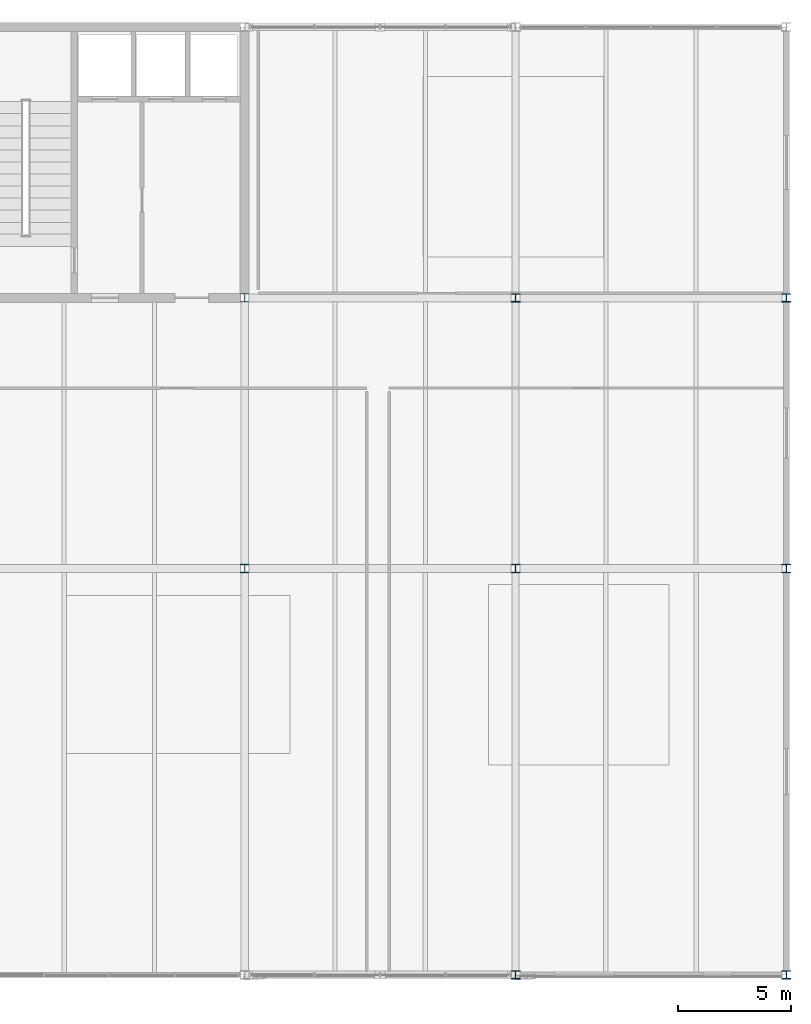
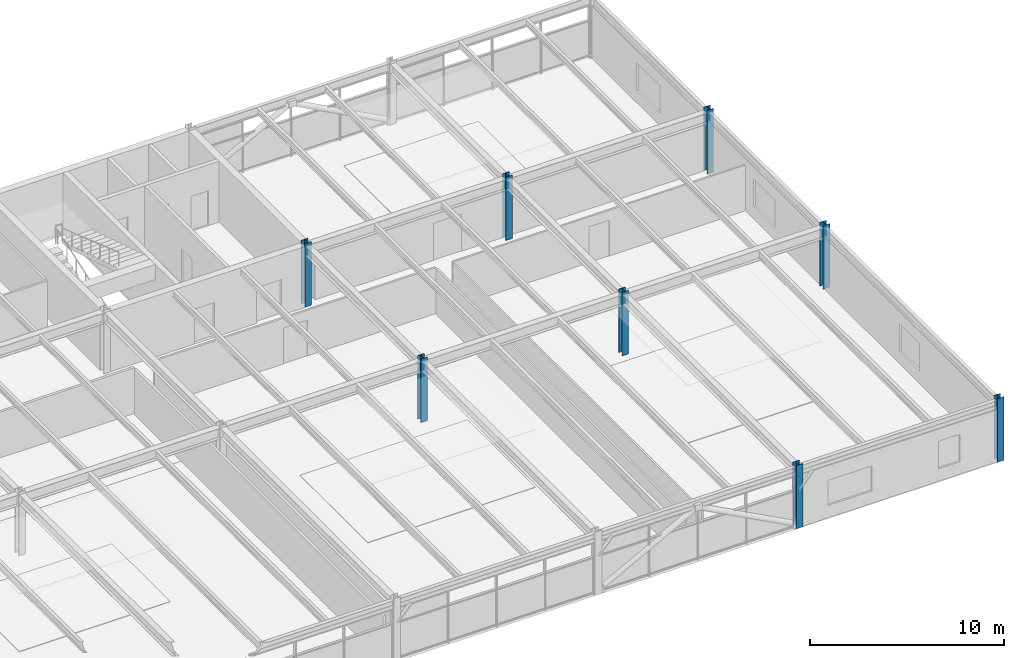
# One storey, part 5 of 49: 8 columns.
"""IFC4 building model written with IfcOpenShell, lengths in metres."""

from ifc_helpers import new_model, si_unit, direction, frame, origin, origin_2d, place, context, subcontext, project, spatial, i_section, extrude, material, material_profile, profile_set, type_object, element, save


model = new_model("IFC4")

# Units and contexts
model_context = context("Model", 3, precision=1e-05, world=origin(), true_north=direction((0.0, 1.0)))
body_context = subcontext(model_context, "Body", "Model", "MODEL_VIEW")
ifc_project = project(units=[si_unit("LENGTHUNIT", "METRE"), si_unit("AREAUNIT", "SQUARE_METRE"), si_unit("VOLUMEUNIT", "CUBIC_METRE"), si_unit("PLANEANGLEUNIT", "RADIAN"), si_unit("MASSUNIT", "GRAM", prefix="KILO")], contexts=[model_context])

# Site, building, storey
site_placement = place(None, origin())
site = spatial("IfcSite", under=ifc_project, at=site_placement, CompositionType="ELEMENT")
building_placement = place(site_placement, origin())
building = spatial("IfcBuilding", under=site, at=building_placement, Name="Girod Span Mobility Hub", CompositionType="ELEMENT")
storey_placement = place(building_placement, frame((0.0, 0.0, 37.60009765625)))
storey = spatial("IfcBuildingStorey", under=building, at=storey_placement, Name="L09", CompositionType="ELEMENT", Elevation=37.60009765625)

# Columns
ifc_material_1 = material(Name="Steel A992 Grade 50", Category="steel")
ifc_material_profile_1 = material_profile(ifc_material_1, i_section(OverallWidth=0.39404296875, OverallDepth=0.375, WebThickness=0.017333984375, FlangeThickness=0.027587890625, FilletRadius=0.01806640625, at=origin_2d()), Name="W14X145")
ifc_profile_set_1 = profile_set([ifc_material_profile_1], Name="Steel A992 Grade 50")
column_type_1 = type_object("IfcColumnType", Name="COL-STL-W14X145", PredefinedType="COLUMN", material=ifc_profile_set_1)
for number, where, z_axis, x_axis, name in (
    (1, (132.0, 27.0, 0.0), (0.0, 0.0, 1.0), (1.0, 0.0, 0.0), "Column 12C L09"),
    (2, (132.0, 45.0, 0.0), (0.0, 0.0, 1.0), (1.0, 0.0, 0.0), "Column 12D L09"),
    (3, (132.0, 57.0, 0.0), (0.0, 0.0, 1.0), (1.0, 0.0, 0.0), "Column 12E L09"),
    (4, (144.0, 27.0, 0.0), (0.0, 0.0, 1.0), (1.0, 0.0, 0.0), "Column 13C L09"),
    (5, (144.0, 45.0, 0.0), (0.0, 0.0, 1.0), (1.0, 0.0, 0.0), "Column 13D L09"),
    (6, (144.0, 57.0, 0.0), (0.0, 0.0, 1.0), (1.0, 0.0, 0.0), "Column 13E L09"),
):
    element("IfcColumn", number, at=place(storey_placement, frame(where, z_axis=z_axis, x_axis=x_axis)), inside=storey, type_object=column_type_1, Name=name, PredefinedType="COLUMN", context=body_context, shape_type="SweptSolid", body=[
        extrude(i_section(OverallWidth=0.39404296875, OverallDepth=0.375, WebThickness=0.017333984375, FlangeThickness=0.027587890625, FilletRadius=0.01806640625, at=origin_2d()), origin(), (0.0, 0.0, 1.0), 4.0),
    ])
ifc_material_2 = material(Name="Steel A992 Grade 50", Category="steel")
ifc_material_profile_2 = material_profile(ifc_material_2, i_section(OverallWidth=0.39892578125, OverallDepth=0.39306640625, WebThickness=0.022705078125, FlangeThickness=0.03662109375, FilletRadius=0.01806640625, at=origin_2d()), Name="W14X193")
ifc_profile_set_2 = profile_set([ifc_material_profile_2], Name="Steel A992 Grade 50")
column_type_2 = type_object("IfcColumnType", Name="COL-STL-W14X193", PredefinedType="COLUMN", material=ifc_profile_set_2)
for number, where, z_axis, x_axis, name in (
    (7, (120.0, 45.0, 0.0), (0.0, 0.0, 1.0), (1.0, 0.0, 0.0), "Column 11D L09"),
    (8, (120.0, 57.0, 0.0), (0.0, 0.0, 1.0), (1.0, 0.0, 0.0), "Column 11E L09"),
):
    element("IfcColumn", number, at=place(storey_placement, frame(where, z_axis=z_axis, x_axis=x_axis)), inside=storey, type_object=column_type_2, Name=name, PredefinedType="COLUMN", context=body_context, shape_type="SweptSolid", body=[
        extrude(i_section(OverallWidth=0.39892578125, OverallDepth=0.39306640625, WebThickness=0.022705078125, FlangeThickness=0.03662109375, FilletRadius=0.01806640625, at=origin_2d()), origin(), (0.0, 0.0, 1.0), 4.0),
    ])

save(model, "model.ifc")
